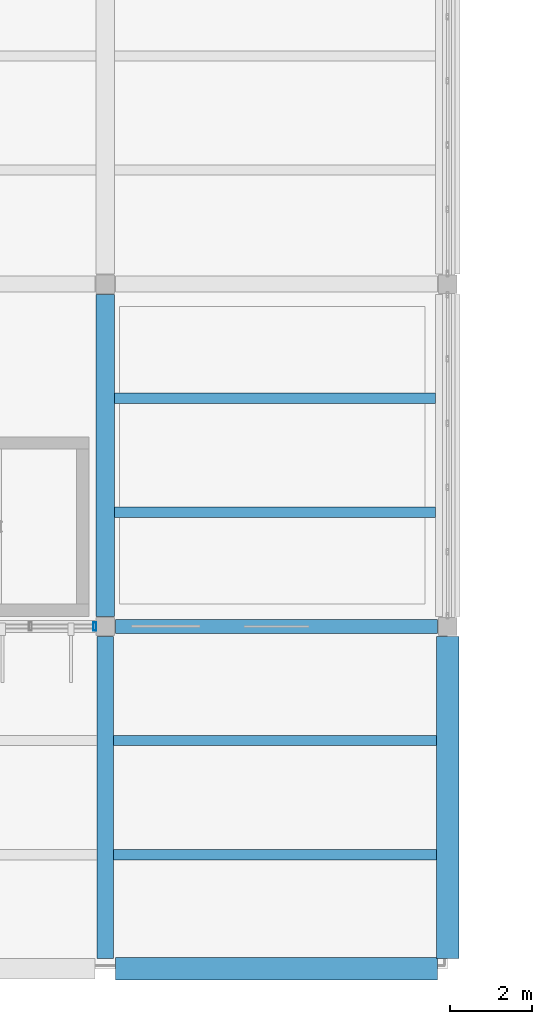
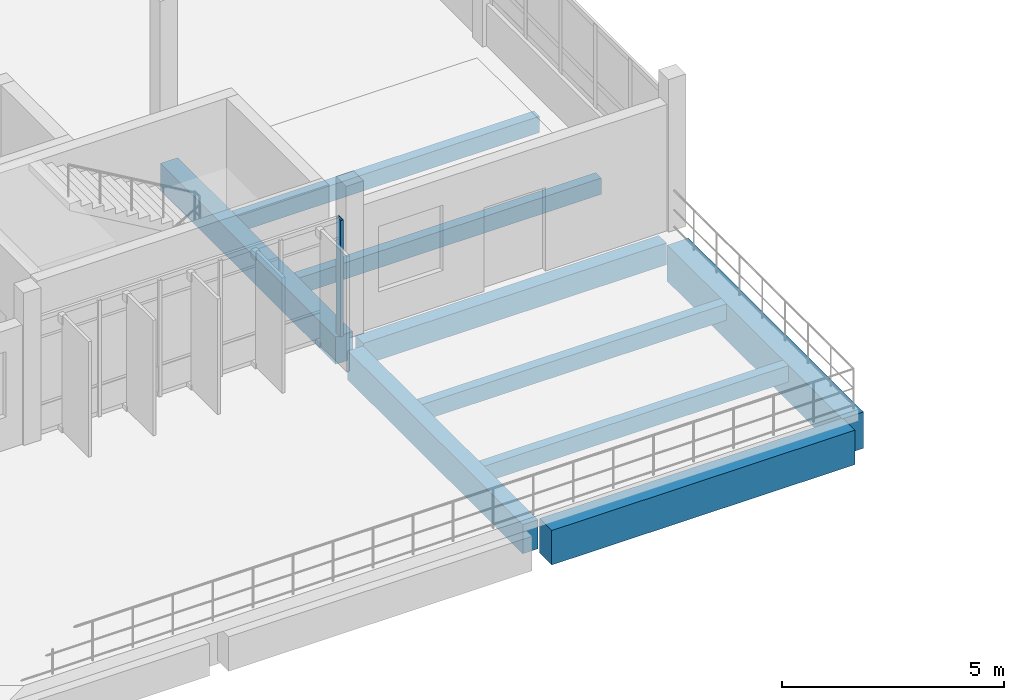
# One storey, part 4 of 62: 9 beams, 1 member, 1 element without a shape of its own.
"""IFC4 building model written with IfcOpenShell, lengths in metres."""

from ifc_helpers import new_model, si_unit, direction, frame, origin, origin_2d, place, context, subcontext, project, spatial, rectangle, hollow_rectangle, extrude, material, layer, layer_set, material_profile, profile_set, type_object, element, aggregate, save


model = new_model("IFC4")

# Units and contexts
model_context = context("Model", 3, precision=1e-05, world=origin(), true_north=direction((0.0, 1.0)))
body_context = subcontext(model_context, "Body", "Model", "MODEL_VIEW")
ifc_project = project(units=[si_unit("LENGTHUNIT", "METRE"), si_unit("AREAUNIT", "SQUARE_METRE"), si_unit("VOLUMEUNIT", "CUBIC_METRE"), si_unit("PLANEANGLEUNIT", "RADIAN"), si_unit("MASSUNIT", "GRAM", prefix="KILO")], contexts=[model_context])

# Site, building, storey
site_placement = place(None, origin())
site = spatial("IfcSite", under=ifc_project, at=site_placement, CompositionType="ELEMENT")
building_placement = place(site_placement, origin())
building = spatial("IfcBuilding", under=site, at=building_placement, Name="Vireocrest Preparatory School", CompositionType="ELEMENT")
storey_placement = place(building_placement, frame((0.0, 0.0, 17.39990234375)))
storey = spatial("IfcBuildingStorey", under=building, at=storey_placement, Name="L04", CompositionType="ELEMENT", Elevation=17.39990234375)

# Curtain wall, member
ifc_material_1 = material(Name="Thermally broken aluminium EN AW-6063-T6", Category="aluminium")
ifc_layer = layer(ifc_material_1, 0.179931640625)
ifc_layer_set = layer_set([ifc_layer], Name="Thermally broken aluminium EN AW-6063-T6")
curtain_wall_type = type_object("IfcCurtainWallType", Name="Stair Core Daylit Strip 4200x4200", PredefinedType="USERDEFINED", material=ifc_layer_set)
curtain_wall_placement = place(storey_placement, origin())
curtain_wall = element("IfcCurtainWall", 1, at=curtain_wall_placement, inside=storey, type_object=curtain_wall_type, Name="Curtain Wall CW18 CW_L04_CW18_0506_0438_174", ObjectType="CURTAIN WALL", PredefinedType="USERDEFINED")
ifc_material_profile_1 = material_profile(ifc_material_1, hollow_rectangle(XDim=0.074951171875, YDim=0.199951171875, WallThickness=0.0048828125, at=origin_2d()), Name="ALU 75x200x5")
ifc_profile_set_1 = profile_set([ifc_material_profile_1], Name="Thermally broken aluminium EN AW-6063-T6")
member_type = type_object("IfcMemberType", Name="CW Mullion 75x200x5", PredefinedType="MULLION", material=ifc_profile_set_1)
member_placement = place(storey_placement, frame((58.5400390625, 43.800048828125, 0.0), z_axis=(0.0, 0.0, 1.0), x_axis=(1.0, 0.0, 0.0)))
member = element("IfcMember", 2, at=member_placement, type_object=member_type, Name="CW Mullion ML3 CW_L04_CW18_0506_0438_174-6", PredefinedType="MULLION", context=body_context, shape_type="SweptSolid", body=[
    extrude(hollow_rectangle(XDim=0.074951171875, YDim=0.199951171875, WallThickness=0.0048828125, at=origin_2d()), origin(), (0.0, 0.0, 1.0), 3.205078125),
])
aggregate(curtain_wall, [member])

# Beams
ifc_material_2 = material(Name="Concrete 40 MPa", Category="concrete")
ifc_material_profile_2 = material_profile(ifc_material_2, rectangle(XDim=0.35009765625, YDim=0.60009765625, at=origin_2d()), Name="RC 350x600")
ifc_profile_set_2 = profile_set([ifc_material_profile_2], Name="Concrete 40 MPa")
beam_type_1 = type_object("IfcBeamType", Name="RC Classroom Girder 350x600", PredefinedType="BEAM", material=ifc_profile_set_2)
beam_1_placement = place(storey_placement, frame((59.050048828125, 43.800048828125, -0.619873046875), z_axis=(1.0, 0.0, 0.0), x_axis=(0.0, 1.0, 0.0)))
element("IfcBeam", 3, at=beam_1_placement, inside=storey, type_object=beam_type_1, Name="Primary Girder B04 L04-1298", PredefinedType="BEAM", context=body_context, shape_type="SweptSolid", body=[
    extrude(rectangle(XDim=0.35009765625, YDim=0.60009765625, at=origin_2d()), origin(), (0.0, 0.0, 1.0), 7.89990234375),
])
ifc_material_profile_3 = material_profile(ifc_material_2, rectangle(XDim=0.550048828125, YDim=1.0, at=origin_2d()), Name="RC 550x1000")
ifc_profile_set_3 = profile_set([ifc_material_profile_3], Name="Concrete 40 MPa")
beam_type_2 = type_object("IfcBeamType", Name="RC Core Coupling Beam 550x1000", PredefinedType="BEAM", material=ifc_profile_set_3)
beam_2_placement = place(storey_placement, frame((67.199951171875, 35.64990234375, -0.81982421875), z_axis=(0.0, 1.0, 0.0), x_axis=(-1.0, 0.0, 0.0)))
element("IfcBeam", 4, at=beam_2_placement, inside=storey, type_object=beam_type_2, Name="Primary Girder B18 L04-1379", PredefinedType="BEAM", context=body_context, shape_type="SweptSolid", body=[
    extrude(rectangle(XDim=0.550048828125, YDim=1.0, at=origin_2d()), origin(), (0.0, 0.0, 1.0), 7.900146484375),
])
ifc_material_profile_4 = material_profile(ifc_material_2, rectangle(XDim=0.39990234375, YDim=0.800048828125, at=origin_2d()), Name="RC 400x800")
ifc_profile_set_4 = profile_set([ifc_material_profile_4], Name="Concrete 40 MPa")
beam_type_3 = type_object("IfcBeamType", Name="RC Library Reading Girder 400x800", PredefinedType="BEAM", material=ifc_profile_set_4)
beam_3_placement = place(storey_placement, frame((58.800048828125, 35.64990234375, -0.719970703125), z_axis=(0.0, 1.0, 0.0), x_axis=(-1.0, 0.0, 0.0)))
element("IfcBeam", 5, at=beam_3_placement, inside=storey, type_object=beam_type_3, Name="Primary Girder B10 L04-1371", PredefinedType="BEAM", context=body_context, shape_type="SweptSolid", body=[
    extrude(rectangle(XDim=0.39990234375, YDim=0.800048828125, at=origin_2d()), origin(), (0.0, 0.0, 1.0), 7.900146484375),
])
ifc_material_profile_5 = material_profile(ifc_material_2, rectangle(XDim=0.449951171875, YDim=0.75, at=origin_2d()), Name="RC 450x750")
ifc_profile_set_5 = profile_set([ifc_material_profile_5], Name="Concrete 40 MPa")
beam_type_4 = type_object("IfcBeamType", Name="RC Library Stack Girder 450x750", PredefinedType="BEAM", material=ifc_profile_set_5)
beam_4_placement = place(storey_placement, frame((58.800048828125, 44.050048828125, -0.614990234375), z_axis=(0.0, 1.0, 0.0), x_axis=(-1.0, 0.0, 0.0)))
element("IfcBeam", 6, at=beam_4_placement, inside=storey, type_object=beam_type_4, Name="Primary Girder B11 L04-1372", PredefinedType="BEAM", context=body_context, shape_type="SweptSolid", body=[
    extrude(rectangle(XDim=0.449951171875, YDim=0.75, at=origin_2d()), origin(), (0.0, 0.0, 1.0), 7.89990234375),
])
ifc_material_profile_6 = material_profile(ifc_material_2, rectangle(XDim=0.25, YDim=0.449951171875, at=origin_2d()), Name="RC 250x450")
ifc_profile_set_6 = profile_set([ifc_material_profile_6], Name="Concrete 40 MPa")
beam_type_5 = type_object("IfcBeamType", Name="RC Secondary Floor Joist 250x450", PredefinedType="JOIST", material=ifc_profile_set_6)
for number, where, z_axis, x_axis, name in (
    (7, (59.0, 38.199951171875, -0.544921875), (1.0, 0.0, 0.0), (0.0, 1.0, 0.0), "Secondary Joist J01 L04-1453"),
    (8, (59.0, 41.0, -0.544921875), (1.0, 0.0, 0.0), (0.0, 1.0, 0.0), "Secondary Joist J01 L04-1454"),
):
    element("IfcBeam", number, at=place(storey_placement, frame(where, z_axis=z_axis, x_axis=x_axis)), inside=storey, type_object=beam_type_5, Name=name, PredefinedType="JOIST", context=body_context, shape_type="SweptSolid", body=[
        extrude(rectangle(XDim=0.25, YDim=0.449951171875, at=origin_2d()), origin(), (0.0, 0.0, 1.0), 7.925048828125),
    ])
for number, where, z_axis, x_axis, name in (
    (9, (59.02490234375, 46.60009765625, -0.46484375), (1.0, 0.0, 0.0), (0.0, 1.0, 0.0), "Secondary Joist J01 L04-1455"),
    (10, (59.02490234375, 49.39990234375, -0.46484375), (1.0, 0.0, 0.0), (0.0, 1.0, 0.0), "Secondary Joist J01 L04-1456"),
):
    element("IfcBeam", number, at=place(storey_placement, frame(where, z_axis=z_axis, x_axis=x_axis)), inside=storey, type_object=beam_type_5, Name=name, PredefinedType="JOIST", context=body_context, shape_type="SweptSolid", body=[
        extrude(rectangle(XDim=0.25, YDim=0.449951171875, at=origin_2d()), origin(), (0.0, 0.0, 1.0), 7.875),
    ])
ifc_material_profile_7 = material_profile(ifc_material_2, rectangle(XDim=0.550048828125, YDim=0.949951171875, at=origin_2d()), Name="RC 550x950")
ifc_profile_set_7 = profile_set([ifc_material_profile_7], Name="Concrete 40 MPa")
beam_type_6 = type_object("IfcBeamType", Name="RC Setback Edge Girder 550x950", PredefinedType="BEAM", material=ifc_profile_set_7)
beam_5_placement = place(storey_placement, frame((59.050048828125, 35.39990234375, -0.794921875), z_axis=(1.0, 0.0, 0.0), x_axis=(0.0, 1.0, 0.0)))
element("IfcBeam", 11, at=beam_5_placement, inside=storey, type_object=beam_type_6, Name="Primary Girder B17 L04-1293", PredefinedType="BEAM", context=body_context, shape_type="SweptSolid", body=[
    extrude(rectangle(XDim=0.550048828125, YDim=0.949951171875, at=origin_2d()), origin(), (0.0, 0.0, 1.0), 7.89990234375),
])

save(model, "model.ifc")
